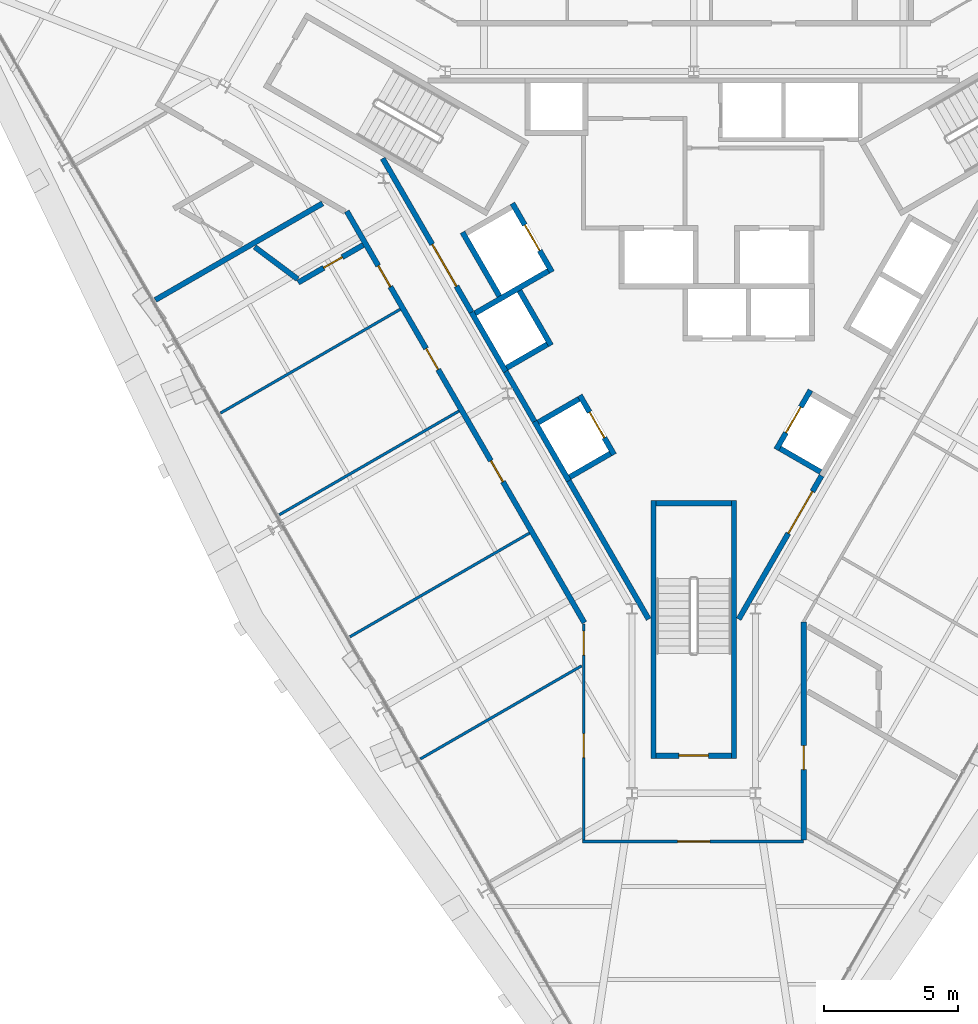
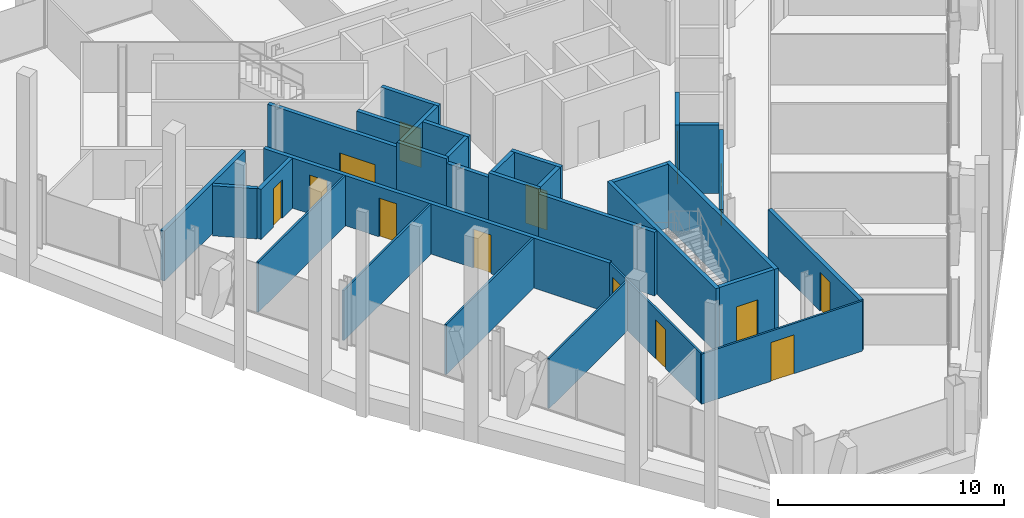
# One storey, part 12 of 17: 31 walls, 14 doors, 14 openings.
"""IFC4 building model written with IfcOpenShell, lengths in metres."""

from ifc_helpers import new_model, si_unit, direction, frame, frame_2d, origin, place, context, subcontext, project, spatial, rectangle, extrude, material, layer, layer_set, type_object, element, fill, save


model = new_model("IFC4")

# Units and contexts
model_context = context("Model", 3, precision=1e-05, world=origin(), true_north=direction((0.0, 1.0)))
body_context = subcontext(model_context, "Body", "Model", "MODEL_VIEW")
ifc_project = project(units=[si_unit("LENGTHUNIT", "METRE"), si_unit("AREAUNIT", "SQUARE_METRE"), si_unit("VOLUMEUNIT", "CUBIC_METRE"), si_unit("PLANEANGLEUNIT", "RADIAN"), si_unit("MASSUNIT", "GRAM", prefix="KILO")], contexts=[model_context])

# Site, building, storey
site_placement = place(None, origin())
site = spatial("IfcSite", under=ifc_project, at=site_placement, CompositionType="ELEMENT")
building_placement = place(site_placement, origin())
building = spatial("IfcBuilding", under=site, at=building_placement, Name="Verrane Prism Tower", CompositionType="ELEMENT")
storey_placement = place(building_placement, frame((0.0, 0.0, 178.39990234375)))
storey = spatial("IfcBuildingStorey", under=building, at=storey_placement, Name="L44", CompositionType="ELEMENT", Elevation=178.39990234375)

# Wall, opening, door
ifc_material_1 = material(Name="Gypsum board partition", Category="other")
ifc_layer_1 = layer(ifc_material_1, 0.199951171875)
ifc_layer_set_1 = layer_set([ifc_layer_1], Name="CW-200 core boundary wall 2 h")
wall_type_1 = type_object("IfcWallType", Name="CW-200 core boundary wall 2 h", PredefinedType="PARTITIONING", material=ifc_layer_set_1)
wall_1_placement = place(storey_placement, frame((-11.590576171875, 4.7548828125, 0.0), z_axis=(0.0, 0.0, 1.0), x_axis=(0.500043977787, -0.866000011708, 0.0)))
wall_1 = element("IfcWall", 1, at=wall_1_placement, inside=storey, type_object=wall_type_1, Name="Core boundary wall CW3-001", PredefinedType="PARTITIONING", context=body_context, shape_type="SweptSolid", body=[
    extrude(rectangle(XDim=6.61669921875, YDim=0.199951171875, at=frame_2d((3.308349609375, 0.0))), origin(), (0.0, 0.0, 1.0), 3.4501953125),
])
opening_1_placement = place(wall_1_placement, frame((3.695068359375, 0.0, 0.0)))
opening_1 = element("IfcOpeningElement", 2, at=opening_1_placement, cuts=wall_1, Name="Opening D44510", PredefinedType="OPENING", context=body_context, shape_type="SweptSolid", body=[
    extrude(rectangle(XDim=1.800048828125, YDim=2.10009765625, at=frame_2d((0.89990234375, 1.050048828125))), frame((0.0, 0.10986328125, 0.0), z_axis=(0.0, -1.0, 0.0), x_axis=(1.0, 0.0, 0.0)), (0.0, 0.0, 1.0), 0.219970703125),
])
ifc_material_2 = material(Name="Timber veneered door leaf", Category="wood")
door_type_1 = type_object("IfcDoorType", Name="DR-1800x2100 FD60 double leaf lift lobby", OperationType="NOTDEFINED", PredefinedType="DOOR", material=ifc_material_2)
door_1_placement = place(opening_1_placement, origin())
door_1 = element("IfcDoor", 3, at=door_1_placement, inside=storey, type_object=door_type_1, Name="Lift lobby door D44510", OperationType="DOUBLE_DOOR_SINGLE_SWING", OverallHeight=2.10009765625, OverallWidth=1.800048828125, PredefinedType="DOOR", context=body_context, shape_type="SweptSolid", body=[
    extrude(rectangle(XDim=1.800048828125, YDim=2.10009765625, at=frame_2d((0.89990234375, 1.050048828125))), frame((0.0, 0.02490234375, 0.0), z_axis=(0.0, -1.0, 0.0), x_axis=(1.0, 0.0, 0.0)), (0.0, 0.0, 1.0), 0.050048828125),
])
fill(opening_1, door_1)

# Walls
wall_2_placement = place(storey_placement, frame((-7.0048828125, -3.18701171875, 0.0), z_axis=(0.0, 0.0, 1.0), x_axis=(0.499689606989, -0.866204535123, 0.0)))
element("IfcWall", 4, at=wall_2_placement, inside=storey, type_object=wall_type_1, Name="Core boundary wall CW3-003", PredefinedType="PARTITIONING", context=body_context, shape_type="SweptSolid", body=[
    extrude(rectangle(XDim=2.144775390625, YDim=0.199951171875, at=frame_2d((1.072265625, 0.0))), origin(), (0.0, 0.0, 1.0), 3.4501953125),
])
wall_3_placement = place(storey_placement, frame((-4.655029296875, -7.257080078125, 0.0), z_axis=(0.0, 0.0, 1.0), x_axis=(0.499966124405, -0.866044960985, 0.0)))
element("IfcWall", 5, at=wall_3_placement, inside=storey, type_object=wall_type_1, Name="Core boundary wall CW3-004", PredefinedType="PARTITIONING", context=body_context, shape_type="SweptSolid", body=[
    extrude(rectangle(XDim=5.95556640625, YDim=0.199951171875, at=frame_2d((2.977783203125, 0.0))), origin(), (0.0, 0.0, 1.0), 3.4501953125),
])

# Wall, opening, door
wall_4_placement = place(storey_placement, frame((1.677490234375, -12.414794921875, 0.0), z_axis=(0.0, 0.0, 1.0), x_axis=(0.500054337157, 0.865994029939, 0.0)))
wall_4 = element("IfcWall", 6, at=wall_4_placement, inside=storey, type_object=wall_type_1, Name="Core boundary wall CW3-006", PredefinedType="PARTITIONING", context=body_context, shape_type="SweptSolid", body=[
    extrude(rectangle(XDim=6.176513671875, YDim=0.199951171875, at=frame_2d((3.08837890625, 0.0))), origin(), (0.0, 0.0, 1.0), 3.4501953125),
])
opening_2_placement = place(wall_4_placement, frame((3.695068359375, 0.0, 0.0)))
opening_2 = element("IfcOpeningElement", 7, at=opening_2_placement, cuts=wall_4, Name="Opening D44515", PredefinedType="OPENING", context=body_context, shape_type="SweptSolid", body=[
    extrude(rectangle(XDim=1.800048828125, YDim=2.10009765625, at=frame_2d((0.89990234375, 1.050048828125))), frame((0.0, 0.10986328125, 0.0), z_axis=(0.0, -1.0, 0.0), x_axis=(1.0, 0.0, 0.0)), (0.0, 0.0, 1.0), 0.219970703125),
])
door_2_placement = place(opening_2_placement, origin())
door_2 = element("IfcDoor", 8, at=door_2_placement, inside=storey, type_object=door_type_1, Name="Lift lobby door D44515", OperationType="DOUBLE_DOOR_SINGLE_SWING", OverallHeight=2.10009765625, OverallWidth=1.800048828125, PredefinedType="DOOR", context=body_context, shape_type="SweptSolid", body=[
    extrude(rectangle(XDim=1.800048828125, YDim=2.10009765625, at=frame_2d((0.89990234375, 1.050048828125))), frame((0.0, 0.02490234375, 0.0), z_axis=(0.0, -1.0, 0.0), x_axis=(1.0, 0.0, 0.0)), (0.0, 0.0, 1.0), 0.050048828125),
])
fill(opening_2, door_2)

ifc_material_3 = material(Name="Concrete C40/50", Category="concrete")
ifc_layer_2 = layer(ifc_material_3, 0.199951171875)
ifc_layer_set_2 = layer_set([ifc_layer_2], Name="CW-200 stair core wall concrete C40/50 3 h")
wall_type_2 = type_object("IfcWallType", Name="CW-200 stair core wall concrete C40/50 3 h", PredefinedType="PARTITIONING", material=ifc_layer_set_2)
wall_5_placement = place(storey_placement, frame((-1.39990234375, -17.5, 0.0), z_axis=(0.0, 0.0, 1.0), x_axis=(1.0, 0.0, 0.0)))
wall_5 = element("IfcWall", 9, at=wall_5_placement, inside=storey, type_object=wall_type_2, Name="Stair 3 enclosure wall", PredefinedType="PARTITIONING", context=body_context, shape_type="SweptSolid", body=[
    extrude(rectangle(XDim=2.7998046875, YDim=0.199951171875, at=frame_2d((1.39990234375, 0.0))), origin(), (0.0, 0.0, 1.0), 3.4501953125),
])
opening_3_placement = place(wall_5_placement, frame((0.85009765625, 0.0, 0.0)))
opening_3 = element("IfcOpeningElement", 10, at=opening_3_placement, cuts=wall_5, Name="Opening D44502", PredefinedType="OPENING", context=body_context, shape_type="SweptSolid", body=[
    extrude(rectangle(XDim=1.10009765625, YDim=2.10009765625, at=frame_2d((0.550048828125, 1.050048828125))), frame((0.0, 0.10986328125, 0.0), z_axis=(0.0, -1.0, 0.0), x_axis=(1.0, 0.0, 0.0)), (0.0, 0.0, 1.0), 0.219970703125),
])
ifc_material_4 = material(Name="Timber veneered door leaf", Category="wood")
door_type_2 = type_object("IfcDoorType", Name="DR-1100x2100 FD90 single leaf stair", OperationType="NOTDEFINED", PredefinedType="DOOR", material=ifc_material_4)
door_3_placement = place(opening_3_placement, origin())
door_3 = element("IfcDoor", 11, at=door_3_placement, inside=storey, type_object=door_type_2, Name="Stair 3 door", OperationType="SINGLE_SWING_LEFT", OverallHeight=2.10009765625, OverallWidth=1.10009765625, PredefinedType="DOOR", context=body_context, shape_type="SweptSolid", body=[
    extrude(rectangle(XDim=1.10009765625, YDim=2.10009765625, at=frame_2d((0.550048828125, 1.050048828125))), frame((0.0, 0.02490234375, 0.0), z_axis=(0.0, -1.0, 0.0), x_axis=(1.0, 0.0, 0.0)), (0.0, 0.0, 1.0), 0.050048828125),
])
fill(opening_3, door_3)

# Walls
for number, where, z_axis, x_axis, name in (
    (12, (1.5, -8.0, 0.0), (0.0, 0.0, 1.0), (0.0, -1.0, 0.0), "Stair 3 enclosure wall"),
    (13, (-1.5, -8.0, 0.0), (0.0, 0.0, 1.0), (0.0, -1.0, 0.0), "Stair 3 enclosure wall"),
):
    element("IfcWall", number, at=place(storey_placement, frame(where, z_axis=z_axis, x_axis=x_axis)), inside=storey, type_object=wall_type_2, Name=name, PredefinedType="PARTITIONING", context=body_context, shape_type="SweptSolid", body=[
        extrude(rectangle(XDim=9.60009765625, YDim=0.199951171875, at=frame_2d((4.800048828125, 0.0))), origin(), (0.0, 0.0, 1.0), 3.4501953125),
    ])
wall_6_placement = place(storey_placement, frame((-1.39990234375, -8.10009765625, 0.0), z_axis=(0.0, 0.0, 1.0), x_axis=(1.0, 0.0, 0.0)))
element("IfcWall", 14, at=wall_6_placement, inside=storey, type_object=wall_type_2, Name="Stair 3 enclosure wall", PredefinedType="PARTITIONING", context=body_context, shape_type="SweptSolid", body=[
    extrude(rectangle(XDim=2.7998046875, YDim=0.199951171875, at=frame_2d((1.39990234375, 0.0))), origin(), (0.0, 0.0, 1.0), 3.4501953125),
])
ifc_material_5 = material(Name="Gypsum board shaft wall assembly", Category="other")
ifc_layer_3 = layer(ifc_material_5, 0.199951171875)
ifc_layer_set_3 = layer_set([ifc_layer_3], Name="HW-200 lift shaft wall 2 h")
wall_type_3 = type_object("IfcWallType", Name="HW-200 lift shaft wall 2 h", PredefinedType="PARTITIONING", material=ifc_layer_set_3)
for number, where, z_axis, x_axis, name in (
    (15, (-4.61962890625, -7.118408203125, 0.0), (0.0, 0.0, 1.0), (0.866036909293, 0.499980071345, 0.0), "Lift shaft wall"),
    (16, (-5.794677734375, -5.083251953125, 0.0), (0.0, 0.0, 1.0), (0.866036909293, 0.499980071345, 0.0), "Lift shaft wall"),
    (17, (-6.9697265625, -3.048095703125, 0.0), (0.0, 0.0, 1.0), (0.866036909293, 0.499980071345, 0.0), "Lift shaft wall"),
):
    element("IfcWall", number, at=place(storey_placement, frame(where, z_axis=z_axis, x_axis=x_axis)), inside=storey, type_object=wall_type_3, Name=name, PredefinedType="PARTITIONING", context=body_context, shape_type="SweptSolid", body=[
        extrude(rectangle(XDim=1.75, YDim=0.199951171875, at=frame_2d((0.875, 0.0))), origin(), (0.0, 0.0, 1.0), 3.7001953125),
    ])
wall_7_placement = place(storey_placement, frame((-8.14453125, -1.012939453125, 0.0), z_axis=(0.0, 0.0, 1.0), x_axis=(0.866016494683, 0.500015430699, 0.0)))
element("IfcWall", 18, at=wall_7_placement, inside=storey, type_object=wall_type_3, Name="Lift shaft wall", PredefinedType="PARTITIONING", context=body_context, shape_type="SweptSolid", body=[
    extrude(rectangle(XDim=3.14990234375, YDim=0.199951171875, at=frame_2d((1.574951171875, 0.0))), origin(), (0.0, 0.0, 1.0), 3.7001953125),
])

# Wall, opening, door
wall_8_placement = place(storey_placement, frame((3.077392578125, -6.089599609375, 0.0), z_axis=(0.0, 0.0, 1.0), x_axis=(0.500062241894, 0.865989465428, 0.0)))
wall_8 = element("IfcWall", 19, at=wall_8_placement, inside=storey, type_object=wall_type_3, Name="Lift shaft wall", PredefinedType="PARTITIONING", context=body_context, shape_type="SweptSolid", body=[
    extrude(rectangle(XDim=2.550048828125, YDim=0.199951171875, at=frame_2d((1.27490234375, 0.0))), origin(), (0.0, 0.0, 1.0), 3.7001953125),
])
opening_4_placement = place(wall_8_placement, frame((0.72509765625, 0.0, 0.0)))
opening_4 = element("IfcOpeningElement", 20, at=opening_4_placement, cuts=wall_8, Name="Opening D44505", PredefinedType="OPENING", context=body_context, shape_type="SweptSolid", body=[
    extrude(rectangle(XDim=1.10009765625, YDim=2.10009765625, at=frame_2d((0.550048828125, 1.050048828125))), frame((0.0, 0.10986328125, 0.0), z_axis=(0.0, -1.0, 0.0), x_axis=(1.0, 0.0, 0.0)), (0.0, 0.0, 1.0), 0.219970703125),
])
ifc_material_6 = material(Name="Stainless steel sliding landing door", Category="steel")
door_type_3 = type_object("IfcDoorType", Name="LD-1100x2100 lift landing door FD90 sliding", OperationType="NOTDEFINED", PredefinedType="DOOR", material=ifc_material_6)
door_4_placement = place(opening_4_placement, origin())
door_4 = element("IfcDoor", 21, at=door_4_placement, inside=storey, type_object=door_type_3, Name="Bank B lift 3 landing door", OperationType="SLIDING_TO_LEFT", OverallHeight=2.10009765625, OverallWidth=1.10009765625, PredefinedType="DOOR", context=body_context, shape_type="SweptSolid", body=[
    extrude(rectangle(XDim=1.10009765625, YDim=2.10009765625, at=frame_2d((0.550048828125, 1.050048828125))), frame((0.0, 0.02490234375, 0.0), z_axis=(0.0, -1.0, 0.0), x_axis=(1.0, 0.0, 0.0)), (0.0, 0.0, 1.0), 0.050048828125),
])
fill(opening_4, door_4)

wall_9_placement = place(storey_placement, frame((-5.280029296875, 0.525390625, 0.0), z_axis=(0.0, 0.0, 1.0), x_axis=(-0.500037662692, 0.866003658127, 0.0)))
wall_9 = element("IfcWall", 22, at=wall_9_placement, inside=storey, type_object=wall_type_3, Name="Lift shaft wall", PredefinedType="PARTITIONING", context=body_context, shape_type="SweptSolid", body=[
    extrude(rectangle(XDim=2.949951171875, YDim=0.199951171875, at=frame_2d((1.47509765625, 0.0))), origin(), (0.0, 0.0, 1.0), 3.7001953125),
])
opening_5_placement = place(wall_9_placement, frame((0.925048828125, 0.0, 0.0)))
opening_5 = element("IfcOpeningElement", 23, at=opening_5_placement, cuts=wall_9, Name="Opening D44509", PredefinedType="OPENING", context=body_context, shape_type="SweptSolid", body=[
    extrude(rectangle(XDim=1.10009765625, YDim=2.10009765625, at=frame_2d((0.550048828125, 1.050048828125))), frame((0.0, 0.10986328125, 0.0), z_axis=(0.0, -1.0, 0.0), x_axis=(1.0, 0.0, 0.0)), (0.0, 0.0, 1.0), 0.219970703125),
])
door_5_placement = place(opening_5_placement, origin())
door_5 = element("IfcDoor", 24, at=door_5_placement, inside=storey, type_object=door_type_3, Name="Service lift 1 landing door", OperationType="SLIDING_TO_LEFT", OverallHeight=2.10009765625, OverallWidth=1.10009765625, PredefinedType="DOOR", context=body_context, shape_type="SweptSolid", body=[
    extrude(rectangle(XDim=1.10009765625, YDim=2.10009765625, at=frame_2d((0.550048828125, 1.050048828125))), frame((0.0, 0.02490234375, 0.0), z_axis=(0.0, -1.0, 0.0), x_axis=(1.0, 0.0, 0.0)), (0.0, 0.0, 1.0), 0.050048828125),
])
fill(opening_5, door_5)

wall_10_placement = place(storey_placement, frame((-2.967529296875, -6.280029296875, 0.0), z_axis=(0.0, 0.0, 1.0), x_axis=(-0.499990435942, 0.866030925526, 0.0)))
wall_10 = element("IfcWall", 25, at=wall_10_placement, inside=storey, type_object=wall_type_3, Name="Lift shaft wall", PredefinedType="PARTITIONING", context=body_context, shape_type="SweptSolid", body=[
    extrude(rectangle(XDim=2.5498046875, YDim=0.199951171875, at=frame_2d((1.27490234375, 0.0))), origin(), (0.0, 0.0, 1.0), 3.7001953125),
])
opening_6_placement = place(wall_10_placement, frame((0.72509765625, 0.0, 0.0)))
opening_6 = element("IfcOpeningElement", 26, at=opening_6_placement, cuts=wall_10, Name="Opening D44506", PredefinedType="OPENING", context=body_context, shape_type="SweptSolid", body=[
    extrude(rectangle(XDim=1.10009765625, YDim=2.10009765625, at=frame_2d((0.550048828125, 1.050048828125))), frame((0.0, 0.10986328125, 0.0), z_axis=(0.0, -1.0, 0.0), x_axis=(1.0, 0.0, 0.0)), (0.0, 0.0, 1.0), 0.219970703125),
])
door_6_placement = place(opening_6_placement, origin())
door_6 = element("IfcDoor", 27, at=door_6_placement, inside=storey, type_object=door_type_3, Name="Bank B lift 4 landing door", OperationType="SLIDING_TO_RIGHT", OverallHeight=2.10009765625, OverallWidth=1.10009765625, PredefinedType="DOOR", context=body_context, shape_type="SweptSolid", body=[
    extrude(rectangle(XDim=1.10009765625, YDim=2.10009765625, at=frame_2d((0.550048828125, 1.050048828125))), frame((0.0, 0.02490234375, 0.0), z_axis=(0.0, -1.0, 0.0), x_axis=(1.0, 0.0, 0.0)), (0.0, 0.0, 1.0), 0.050048828125),
])
fill(opening_6, door_6)

# Walls
wall_11_placement = place(storey_placement, frame((-5.317626953125, -2.209716796875, 0.0), z_axis=(0.0, 0.0, 1.0), x_axis=(-0.499938297808, 0.866061024631, 0.0)))
element("IfcWall", 28, at=wall_11_placement, inside=storey, type_object=wall_type_3, Name="Lift shaft wall", PredefinedType="PARTITIONING", context=body_context, shape_type="SweptSolid", body=[
    extrude(rectangle(XDim=2.349853515625, YDim=0.199951171875, at=frame_2d((1.1748046875, 0.0))), origin(), (0.0, 0.0, 1.0), 3.7001953125),
])
wall_12_placement = place(storey_placement, frame((-7.241943359375, -0.37646484375, 0.0), z_axis=(0.0, 0.0, 1.0), x_axis=(-0.499996545922, 0.866027397988, 0.0)))
element("IfcWall", 29, at=wall_12_placement, inside=storey, type_object=wall_type_3, Name="Lift shaft wall", PredefinedType="PARTITIONING", context=body_context, shape_type="SweptSolid", body=[
    extrude(rectangle(XDim=2.75, YDim=0.199951171875, at=frame_2d((1.375, 0.0))), origin(), (0.0, 0.0, 1.0), 3.7001953125),
])
for number, where, z_axis, x_axis, name in (
    (30, (-4.65625, -7.255126953125, 0.0), (0.0, 0.0, 1.0), (-0.499990435942, 0.866030925526, 0.0), "Lift shaft wall"),
    (31, (-7.00634765625, -3.184814453125, 0.0), (0.0, 0.0, 1.0), (-0.499990435942, 0.866030925526, 0.0), "Lift shaft wall"),
):
    element("IfcWall", number, at=place(storey_placement, frame(where, z_axis=z_axis, x_axis=x_axis)), inside=storey, type_object=wall_type_3, Name=name, PredefinedType="PARTITIONING", context=body_context, shape_type="SweptSolid", body=[
        extrude(rectangle(XDim=2.5498046875, YDim=0.199951171875, at=frame_2d((1.27490234375, 0.0))), origin(), (0.0, 0.0, 1.0), 3.7001953125),
    ])
wall_13_placement = place(storey_placement, frame((4.729736328125, -6.927978515625, 0.0), z_axis=(0.0, 0.0, 1.0), x_axis=(-0.866036909293, 0.499980071345, 0.0)))
element("IfcWall", 32, at=wall_13_placement, inside=storey, type_object=wall_type_3, Name="Lift shaft wall", PredefinedType="PARTITIONING", context=body_context, shape_type="SweptSolid", body=[
    extrude(rectangle(XDim=1.75, YDim=0.199951171875, at=frame_2d((0.875, 0.0))), origin(), (0.0, 0.0, 1.0), 3.7001953125),
])
ifc_material_7 = material(Name="Gypsum board partition", Category="other")
ifc_layer_4 = layer(ifc_material_7, 0.10009765625)
ifc_layer_set_4 = layer_set([ifc_layer_4], Name="PW-100 room partition")
wall_type_4 = type_object("IfcWallType", Name="PW-100 room partition", PredefinedType="PARTITIONING", material=ifc_layer_set_4)
wall_14_placement = place(storey_placement, frame((-17.631591796875, -4.73095703125, 0.0), z_axis=(0.0, 0.0, 1.0), x_axis=(0.866002098189, 0.500040364304, 0.0)))
element("IfcWall", 33, at=wall_14_placement, inside=storey, type_object=wall_type_4, Name="Room partition 007", PredefinedType="PARTITIONING", context=body_context, shape_type="SweptSolid", body=[
    extrude(rectangle(XDim=7.733154296875, YDim=0.10009765625, at=frame_2d((3.86669921875, 0.0))), origin(), (0.0, 0.0, 1.0), 2.713134765625),
])
for number, where, z_axis, x_axis, name in (
    (34, (-15.4423828125, -8.522705078125, 0.0), (0.0, 0.0, 1.0), (0.866007875589, 0.500030358497, 0.0), "Room partition 011"),
    (35, (-12.8154296875, -13.07275390625, 0.0), (0.0, 0.0, 1.0), (0.866007875589, 0.500030358497, 0.0), "Room partition 014"),
):
    element("IfcWall", number, at=place(storey_placement, frame(where, z_axis=z_axis, x_axis=x_axis)), inside=storey, type_object=wall_type_4, Name=name, PredefinedType="PARTITIONING", context=body_context, shape_type="SweptSolid", body=[
        extrude(rectangle(XDim=7.73291015625, YDim=0.10009765625, at=frame_2d((3.866455078125, 0.0))), origin(), (0.0, 0.0, 1.0), 2.713134765625),
    ])
wall_15_placement = place(storey_placement, frame((-10.188720703125, -17.623046875, 0.0), z_axis=(0.0, 0.0, 1.0), x_axis=(0.866045070519, 0.499965934669, 0.0)))
element("IfcWall", 36, at=wall_15_placement, inside=storey, type_object=wall_type_4, Name="Room partition 015", PredefinedType="PARTITIONING", context=body_context, shape_type="SweptSolid", body=[
    extrude(rectangle(XDim=6.94384765625, YDim=0.10009765625, at=frame_2d((3.471923828125, 0.0))), origin(), (0.0, 0.0, 1.0), 2.713134765625),
])

# Wall, openings, doors
wall_16_placement = place(storey_placement, frame((-4.10009765625, -20.64990234375, 0.0), z_axis=(0.0, 0.0, 1.0), x_axis=(0.0, 1.0, 0.0)))
wall_16 = element("IfcWall", 37, at=wall_16_placement, inside=storey, type_object=wall_type_4, Name="Room partition 020", PredefinedType="PARTITIONING", context=body_context, shape_type="SweptSolid", body=[
    extrude(rectangle(XDim=8.06298828125, YDim=0.10009765625, at=frame_2d((4.031494140625, 0.0))), origin(), (0.0, 0.0, 1.0), 2.713134765625),
])
opening_7_placement = place(wall_16_placement, frame((6.89208984375, 0.0, 0.0)))
opening_7 = element("IfcOpeningElement", 38, at=opening_7_placement, cuts=wall_16, Name="Opening D44023", PredefinedType="OPENING", context=body_context, shape_type="SweptSolid", body=[
    extrude(rectangle(XDim=0.89990234375, YDim=2.10009765625, at=frame_2d((0.449951171875, 1.050048828125))), frame((0.0, 0.06005859375, 0.0), z_axis=(0.0, -1.0, 0.0), x_axis=(1.0, 0.0, 0.0)), (0.0, 0.0, 1.0), 0.1201171875),
])
opening_8_placement = place(wall_16_placement, frame((3.074951171875, 0.0, 0.0)))
opening_8 = element("IfcOpeningElement", 39, at=opening_8_placement, cuts=wall_16, Name="Opening D44024", PredefinedType="OPENING", context=body_context, shape_type="SweptSolid", body=[
    extrude(rectangle(XDim=0.89990234375, YDim=2.10009765625, at=frame_2d((0.449951171875, 1.050048828125))), frame((0.0, 0.06005859375, 0.0), z_axis=(0.0, -1.0, 0.0), x_axis=(1.0, 0.0, 0.0)), (0.0, 0.0, 1.0), 0.1201171875),
])
ifc_material_8 = material(Name="Timber veneered door leaf", Category="wood")
door_type_4 = type_object("IfcDoorType", Name="DR-900x2100 single leaf unit", OperationType="NOTDEFINED", PredefinedType="DOOR", material=ifc_material_8)
door_7_placement = place(opening_7_placement, origin())
door_7 = element("IfcDoor", 40, at=door_7_placement, inside=storey, type_object=door_type_4, Name="Study door", OperationType="SINGLE_SWING_LEFT", OverallHeight=2.10009765625, OverallWidth=0.89990234375, PredefinedType="DOOR", context=body_context, shape_type="SweptSolid", body=[
    extrude(rectangle(XDim=0.89990234375, YDim=2.10009765625, at=frame_2d((0.449951171875, 1.050048828125))), frame((0.0, 0.02490234375, 0.0), z_axis=(0.0, -1.0, 0.0), x_axis=(1.0, 0.0, 0.0)), (0.0, 0.0, 1.0), 0.050048828125),
])
fill(opening_7, door_7)
door_8_placement = place(opening_8_placement, origin())
door_8 = element("IfcDoor", 41, at=door_8_placement, inside=storey, type_object=door_type_4, Name="Study door", OperationType="SINGLE_SWING_RIGHT", OverallHeight=2.10009765625, OverallWidth=0.89990234375, PredefinedType="DOOR", context=body_context, shape_type="SweptSolid", body=[
    extrude(rectangle(XDim=0.89990234375, YDim=2.10009765625, at=frame_2d((0.449951171875, 1.050048828125))), frame((0.0, 0.02490234375, 0.0), z_axis=(0.0, -1.0, 0.0), x_axis=(1.0, 0.0, 0.0)), (0.0, 0.0, 1.0), 0.050048828125),
])
fill(opening_8, door_8)

# Wall, opening, door
wall_17_placement = place(storey_placement, frame((4.10009765625, -20.699951171875, 0.0), z_axis=(0.0, 0.0, 1.0), x_axis=(-1.0, 0.0, 0.0)))
wall_17 = element("IfcWall", 42, at=wall_17_placement, inside=storey, type_object=wall_type_4, Name="Room partition 021", PredefinedType="PARTITIONING", context=body_context, shape_type="SweptSolid", body=[
    extrude(rectangle(XDim=8.25, YDim=0.10009765625, at=frame_2d((4.125, 0.0))), origin(), (0.0, 0.0, 1.0), 2.713134765625),
])
opening_9_placement = place(wall_17_placement, frame((3.5, 0.0, 0.0)))
opening_9 = element("IfcOpeningElement", 43, at=opening_9_placement, cuts=wall_17, Name="Opening D44025", PredefinedType="OPENING", context=body_context, shape_type="SweptSolid", body=[
    extrude(rectangle(XDim=1.199951171875, YDim=2.10009765625, at=frame_2d((0.60009765625, 1.050048828125))), frame((0.0, 0.06005859375, 0.0), z_axis=(0.0, -1.0, 0.0), x_axis=(1.0, 0.0, 0.0)), (0.0, 0.0, 1.0), 0.1201171875),
])
ifc_material_9 = material(Name="Timber veneered door leaf", Category="wood")
door_type_5 = type_object("IfcDoorType", Name="DR-1200x2100 single leaf unit", OperationType="NOTDEFINED", PredefinedType="DOOR", material=ifc_material_9)
door_9_placement = place(opening_9_placement, origin())
door_9 = element("IfcDoor", 44, at=door_9_placement, inside=storey, type_object=door_type_5, Name="Living And Dining Room door", OperationType="SINGLE_SWING_RIGHT", OverallHeight=2.10009765625, OverallWidth=1.199951171875, PredefinedType="DOOR", context=body_context, shape_type="SweptSolid", body=[
    extrude(rectangle(XDim=1.199951171875, YDim=2.10009765625, at=frame_2d((0.60009765625, 1.050048828125))), frame((0.0, 0.02490234375, 0.0), z_axis=(0.0, -1.0, 0.0), x_axis=(1.0, 0.0, 0.0)), (0.0, 0.0, 1.0), 0.050048828125),
])
fill(opening_9, door_9)

# Walls
ifc_material_10 = material(Name="Gypsum board partition", Category="other")
ifc_layer_5 = layer(ifc_material_10, 0.199951171875)
ifc_layer_set_5 = layer_set([ifc_layer_5], Name="PW-200 plumbing wall")
wall_type_5 = type_object("IfcWallType", Name="PW-200 plumbing wall", PredefinedType="PARTITIONING", material=ifc_layer_set_5)
wall_18_placement = place(storey_placement, frame((-20.063720703125, -0.51806640625, 0.0), z_axis=(0.0, 0.0, 1.0), x_axis=(0.865994046034, 0.500054309285, 0.0)))
element("IfcWall", 45, at=wall_18_placement, inside=storey, type_object=wall_type_5, Name="Plumbing wall 002", PredefinedType="PARTITIONING", context=body_context, shape_type="SweptSolid", body=[
    extrude(rectangle(XDim=7.196044921875, YDim=0.199951171875, at=frame_2d((3.59814453125, 0.0))), origin(), (0.0, 0.0, 1.0), 2.713134765625),
])
wall_19_placement = place(storey_placement, frame((-16.36181640625, 1.459228515625, 0.0), z_axis=(0.0, 0.0, 1.0), x_axis=(0.800219351666, -0.59970741968, 0.0)))
element("IfcWall", 46, at=wall_19_placement, inside=storey, type_object=wall_type_5, Name="Plumbing wall 008", PredefinedType="PARTITIONING", context=body_context, shape_type="SweptSolid", body=[
    extrude(rectangle(XDim=2.0029296875, YDim=0.199951171875, at=frame_2d((1.00146484375, 0.0))), origin(), (0.0, 0.0, 1.0), 2.713134765625),
])

# Wall, opening, door
wall_20_placement = place(storey_placement, frame((-14.74169921875, 0.1298828125, 0.0), z_axis=(0.0, 0.0, 1.0), x_axis=(0.866003766563, 0.500037474894, 0.0)))
wall_20 = element("IfcWall", 47, at=wall_20_placement, inside=storey, type_object=wall_type_5, Name="Plumbing wall 012", PredefinedType="PARTITIONING", context=body_context, shape_type="SweptSolid", body=[
    extrude(rectangle(XDim=2.795166015625, YDim=0.199951171875, at=frame_2d((1.3974609375, 0.0))), origin(), (0.0, 0.0, 1.0), 2.713134765625),
])
opening_10_placement = place(wall_20_placement, frame((1.10009765625, 0.0, 0.0)))
opening_10 = element("IfcOpeningElement", 48, at=opening_10_placement, cuts=wall_20, Name="Opening D44020", PredefinedType="OPENING", context=body_context, shape_type="SweptSolid", body=[
    extrude(rectangle(XDim=0.800048828125, YDim=2.10009765625, at=frame_2d((0.39990234375, 1.050048828125))), frame((0.0, 0.10986328125, 0.0), z_axis=(0.0, -1.0, 0.0), x_axis=(1.0, 0.0, 0.0)), (0.0, 0.0, 1.0), 0.219970703125),
])
ifc_material_11 = material(Name="Timber veneered door leaf", Category="wood")
door_type_6 = type_object("IfcDoorType", Name="DR-800x2100 single leaf bath", OperationType="NOTDEFINED", PredefinedType="DOOR", material=ifc_material_11)
door_10_placement = place(opening_10_placement, origin())
door_10 = element("IfcDoor", 49, at=door_10_placement, inside=storey, type_object=door_type_6, Name="Bathroom door", OperationType="SINGLE_SWING_RIGHT", OverallHeight=2.10009765625, OverallWidth=0.800048828125, PredefinedType="DOOR", context=body_context, shape_type="SweptSolid", body=[
    extrude(rectangle(XDim=0.800048828125, YDim=2.10009765625, at=frame_2d((0.39990234375, 1.050048828125))), frame((0.0, 0.02490234375, 0.0), z_axis=(0.0, -1.0, 0.0), x_axis=(1.0, 0.0, 0.0)), (0.0, 0.0, 1.0), 0.050048828125),
])
fill(opening_10, door_10)

# Wall, openings, doors
wall_21_placement = place(storey_placement, frame((-4.074951171875, -12.54541015625, 0.0), z_axis=(0.0, 0.0, 1.0), x_axis=(-0.499997769292, 0.86602669168, 0.0)))
wall_21 = element("IfcWall", 50, at=wall_21_placement, inside=storey, type_object=wall_type_5, Name="Plumbing wall 013", PredefinedType="PARTITIONING", context=body_context, shape_type="SweptSolid", body=[
    extrude(rectangle(XDim=17.7060546875, YDim=0.199951171875, at=frame_2d((8.85302734375, 0.0))), origin(), (0.0, 0.0, 1.0), 2.713134765625),
])
opening_11_placement = place(wall_21_placement, frame((14.4599609375, 0.0, 0.0)))
opening_11 = element("IfcOpeningElement", 51, at=opening_11_placement, cuts=wall_21, Name="Opening D44019", PredefinedType="OPENING", context=body_context, shape_type="SweptSolid", body=[
    extrude(rectangle(XDim=0.89990234375, YDim=2.10009765625, at=frame_2d((0.449951171875, 1.050048828125))), frame((0.0, 0.10986328125, 0.0), z_axis=(0.0, -1.0, 0.0), x_axis=(1.0, 0.0, 0.0)), (0.0, 0.0, 1.0), 0.219970703125),
])
opening_12_placement = place(wall_21_placement, frame((10.89599609375, 0.0, 0.0)))
opening_12 = element("IfcOpeningElement", 52, at=opening_12_placement, cuts=wall_21, Name="Opening D44021", PredefinedType="OPENING", context=body_context, shape_type="SweptSolid", body=[
    extrude(rectangle(XDim=0.89990234375, YDim=2.10009765625, at=frame_2d((0.449951171875, 1.050048828125))), frame((0.0, 0.10986328125, 0.0), z_axis=(0.0, -1.0, 0.0), x_axis=(1.0, 0.0, 0.0)), (0.0, 0.0, 1.0), 0.219970703125),
])
opening_13_placement = place(wall_21_placement, frame((6.068115234375, 0.0, 0.0)))
opening_13 = element("IfcOpeningElement", 53, at=opening_13_placement, cuts=wall_21, Name="Opening D44022", PredefinedType="OPENING", context=body_context, shape_type="SweptSolid", body=[
    extrude(rectangle(XDim=0.89990234375, YDim=2.10009765625, at=frame_2d((0.449951171875, 1.050048828125))), frame((0.0, 0.10986328125, 0.0), z_axis=(0.0, -1.0, 0.0), x_axis=(1.0, 0.0, 0.0)), (0.0, 0.0, 1.0), 0.219970703125),
])
ifc_material_12 = material(Name="Timber veneered door leaf", Category="wood")
door_type_7 = type_object("IfcDoorType", Name="DR-900x2100 single leaf inner", OperationType="NOTDEFINED", PredefinedType="DOOR", material=ifc_material_12)
door_11_placement = place(opening_11_placement, origin())
door_11 = element("IfcDoor", 54, at=door_11_placement, inside=storey, type_object=door_type_7, Name="Bedroom door", OperationType="SINGLE_SWING_RIGHT", OverallHeight=2.10009765625, OverallWidth=0.89990234375, PredefinedType="DOOR", context=body_context, shape_type="SweptSolid", body=[
    extrude(rectangle(XDim=0.89990234375, YDim=2.10009765625, at=frame_2d((0.449951171875, 1.050048828125))), frame((0.0, 0.02490234375, 0.0), z_axis=(0.0, -1.0, 0.0), x_axis=(1.0, 0.0, 0.0)), (0.0, 0.0, 1.0), 0.050048828125),
])
fill(opening_11, door_11)
door_12_placement = place(opening_12_placement, origin())
door_12 = element("IfcDoor", 55, at=door_12_placement, inside=storey, type_object=door_type_4, Name="Kitchen door", OperationType="SINGLE_SWING_RIGHT", OverallHeight=2.10009765625, OverallWidth=0.89990234375, PredefinedType="DOOR", context=body_context, shape_type="SweptSolid", body=[
    extrude(rectangle(XDim=0.89990234375, YDim=2.10009765625, at=frame_2d((0.449951171875, 1.050048828125))), frame((0.0, 0.02490234375, 0.0), z_axis=(0.0, -1.0, 0.0), x_axis=(1.0, 0.0, 0.0)), (0.0, 0.0, 1.0), 0.050048828125),
])
fill(opening_12, door_12)
door_13_placement = place(opening_13_placement, origin())
door_13 = element("IfcDoor", 56, at=door_13_placement, inside=storey, type_object=door_type_4, Name="Study door", OperationType="SINGLE_SWING_LEFT", OverallHeight=2.10009765625, OverallWidth=0.89990234375, PredefinedType="DOOR", context=body_context, shape_type="SweptSolid", body=[
    extrude(rectangle(XDim=0.89990234375, YDim=2.10009765625, at=frame_2d((0.449951171875, 1.050048828125))), frame((0.0, 0.02490234375, 0.0), z_axis=(0.0, -1.0, 0.0), x_axis=(1.0, 0.0, 0.0)), (0.0, 0.0, 1.0), 0.050048828125),
])
fill(opening_13, door_13)

# Wall, opening, door
wall_22_placement = place(storey_placement, frame((4.10009765625, -12.527099609375, 0.0), z_axis=(0.0, 0.0, 1.0), x_axis=(0.0, -1.0, 0.0)))
wall_22 = element("IfcWall", 57, at=wall_22_placement, inside=storey, type_object=wall_type_5, Name="Plumbing wall 023", PredefinedType="PARTITIONING", context=body_context, shape_type="SweptSolid", body=[
    extrude(rectangle(XDim=8.122802734375, YDim=0.199951171875, at=frame_2d((4.0615234375, 0.0))), origin(), (0.0, 0.0, 1.0), 2.713134765625),
])
opening_14_placement = place(wall_22_placement, frame((4.597900390625, 0.0, 0.0)))
opening_14 = element("IfcOpeningElement", 58, at=opening_14_placement, cuts=wall_22, Name="Opening D44001", PredefinedType="OPENING", context=body_context, shape_type="SweptSolid", body=[
    extrude(rectangle(XDim=0.89990234375, YDim=2.10009765625, at=frame_2d((0.449951171875, 1.050048828125))), frame((0.0, 0.10986328125, 0.0), z_axis=(0.0, -1.0, 0.0), x_axis=(1.0, 0.0, 0.0)), (0.0, 0.0, 1.0), 0.219970703125),
])
door_14_placement = place(opening_14_placement, origin())
door_14 = element("IfcDoor", 59, at=door_14_placement, inside=storey, type_object=door_type_4, Name="Kitchen door", OperationType="SINGLE_SWING_RIGHT", OverallHeight=2.10009765625, OverallWidth=0.89990234375, PredefinedType="DOOR", context=body_context, shape_type="SweptSolid", body=[
    extrude(rectangle(XDim=0.89990234375, YDim=2.10009765625, at=frame_2d((0.449951171875, 1.050048828125))), frame((0.0, 0.02490234375, 0.0), z_axis=(0.0, -1.0, 0.0), x_axis=(1.0, 0.0, 0.0)), (0.0, 0.0, 1.0), 0.050048828125),
])
fill(opening_14, door_14)

save(model, "model.ifc")
